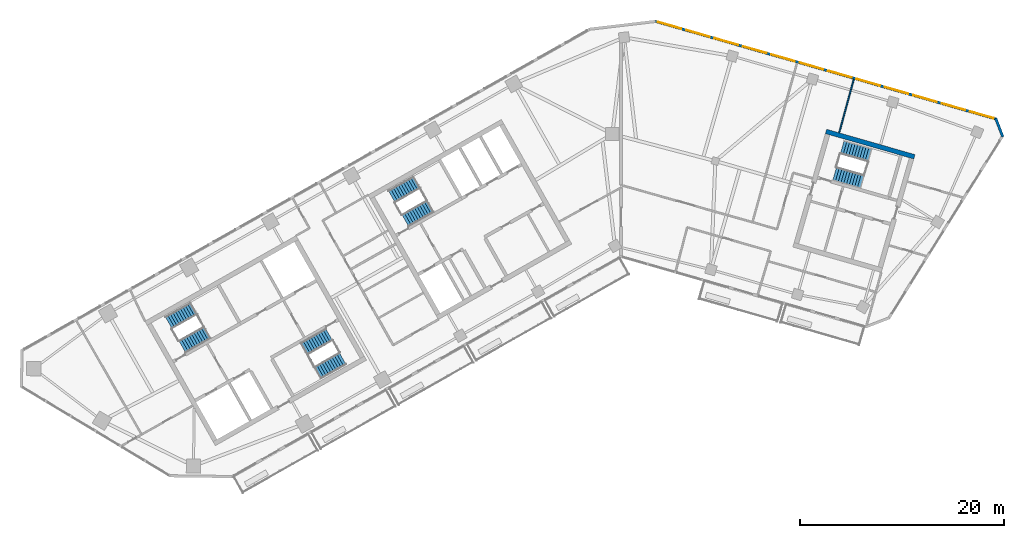
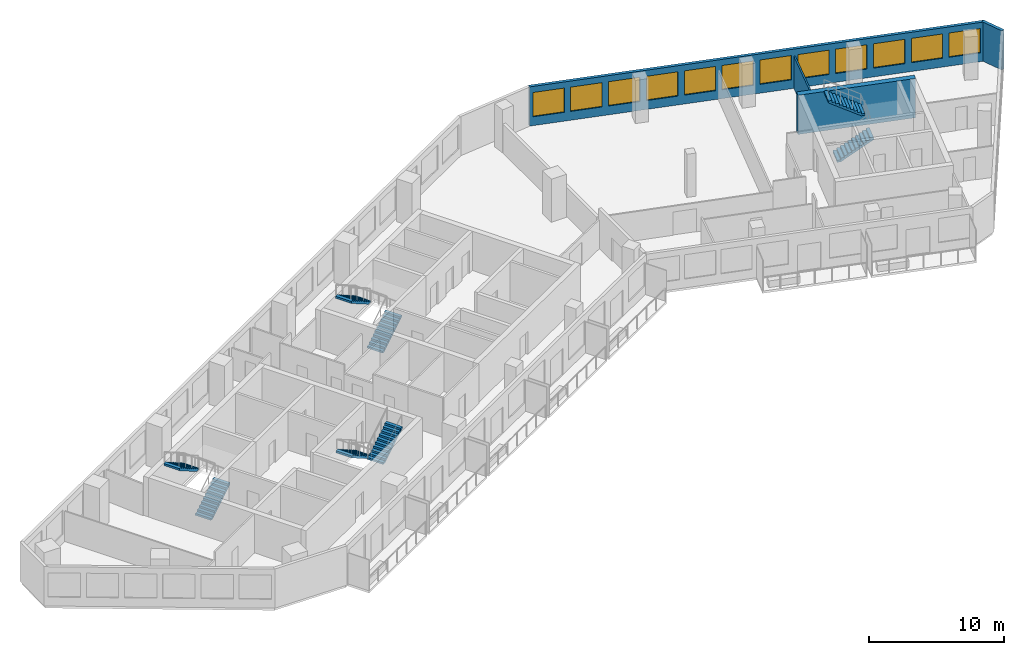
# One storey, part 8 of 11: 12 windows, 8 stair flights, 4 walls, 12 openings, 4 elements without a shape of their own.
"""IFC4 building model written with IfcOpenShell, lengths in metres."""

from ifc_helpers import new_model, si_unit, direction, frame, frame_2d, origin, place, context, subcontext, project, spatial, polyline, rectangle, outline, extrude, material, layer, layer_set, type_object, element, fill, aggregate, save


model = new_model("IFC4")

# Units and contexts
model_context = context("Model", 3, precision=1e-05, world=origin(), true_north=direction((0.0, 1.0)))
body_context = subcontext(model_context, "Body", "Model", "MODEL_VIEW")
ifc_project = project(units=[si_unit("LENGTHUNIT", "METRE"), si_unit("AREAUNIT", "SQUARE_METRE"), si_unit("VOLUMEUNIT", "CUBIC_METRE"), si_unit("PLANEANGLEUNIT", "RADIAN"), si_unit("MASSUNIT", "GRAM", prefix="KILO")], contexts=[model_context])

# Site, building, storey
site_placement = place(None, origin())
site = spatial("IfcSite", under=ifc_project, at=site_placement, CompositionType="ELEMENT")
building_placement = place(site_placement, origin())
building = spatial("IfcBuilding", under=site, at=building_placement, Name="Binnacle Exchange Tower", CompositionType="ELEMENT")
storey_placement = place(building_placement, frame((0.0, 0.0, 227.0)))
storey = spatial("IfcBuildingStorey", under=building, at=storey_placement, Name="L50", CompositionType="ELEMENT", Elevation=227.0)

# Walls
ifc_material_1 = material(Name="Concrete C70/85", Category="concrete")
ifc_layer_1 = layer(ifc_material_1, 0.449951171875)
ifc_layer_set_1 = layer_set([ifc_layer_1], Name="Core wall - outer 450")
wall_type_1 = type_object("IfcWallType", Name="Core wall - outer 450", PredefinedType="SOLIDWALL", material=ifc_layer_set_1)
wall_1_placement = place(storey_placement, frame((20.073486328125, 60.251708984375, 0.0), z_axis=(0.0, 0.0, 1.0), x_axis=(0.96126248289, -0.275634611374, 0.0)))
element("IfcWall", 1, at=wall_1_placement, inside=storey, type_object=wall_type_1, Name="Core wall CRWD6", PredefinedType="SOLIDWALL", context=body_context, shape_type="SweptSolid", body=[
    extrude(rectangle(XDim=9.0, YDim=0.449951171875, at=frame_2d((4.5, 0.0))), origin(), (0.0, 0.0, 1.0), 3.550048828125),
])
ifc_material_2 = material(Name="Bronze aluminium cladding", Category="aluminium")
ifc_layer_2 = layer(ifc_material_2, 0.25)
ifc_layer_set_2 = layer_set([ifc_layer_2], Name="External wall - window wall 250")
wall_type_2 = type_object("IfcWallType", Name="External wall - window wall 250", PredefinedType="STANDARD", material=ifc_layer_set_2)
wall_2_placement = place(storey_placement, frame((36.68994140625, 61.531005859375, 0.0), z_axis=(0.0, 0.0, 1.0), x_axis=(0.358377147136, -0.933576895821, 0.0)))
element("IfcWall", 2, at=wall_2_placement, inside=storey, type_object=wall_type_2, Name="External wall EW-G05 L50", PredefinedType="STANDARD", context=body_context, shape_type="SweptSolid", body=[
    extrude(rectangle(XDim=1.929931640625, YDim=0.25, at=frame_2d((0.96484375, 0.0))), origin(), (0.0, 0.0, 1.0), 3.550048828125),
])

# Wall, openings, windows
wall_3_placement = place(storey_placement, frame((3.34033203125, 71.042236328125, 0.0), z_axis=(0.0, 0.0, 1.0), x_axis=(0.96126179431, -0.275637012753, 0.0)))
wall_3 = element("IfcWall", 3, at=wall_3_placement, inside=storey, type_object=wall_type_2, Name="External wall EW-G06 L50", PredefinedType="STANDARD", context=body_context, shape_type="SweptSolid", body=[
    extrude(rectangle(XDim=34.779052734375, YDim=0.25, at=frame_2d((17.3896484375, 0.0))), origin(), (0.0, 0.0, 1.0), 3.550048828125),
])
opening_1_placement = place(wall_3_placement, frame((32.0712890625, 0.0, 0.800048828125)))
opening_1 = element("IfcOpeningElement", 4, at=opening_1_placement, cuts=wall_3, Name="Opening WR1", PredefinedType="OPENING", context=body_context, shape_type="SweptSolid", body=[
    extrude(rectangle(XDim=2.39990234375, YDim=2.199951171875, at=frame_2d((1.199951171875, 1.10009765625))), frame((0.0, 0.135009765625, 0.0), z_axis=(0.0, -1.0, 0.0), x_axis=(1.0, 0.0, 0.0)), (0.0, 0.0, 1.0), 0.27001953125),
])
opening_2_placement = place(wall_3_placement, frame((29.180419921875, 0.0, 0.800048828125)))
opening_2 = element("IfcOpeningElement", 5, at=opening_2_placement, cuts=wall_3, Name="Opening WR1", PredefinedType="OPENING", context=body_context, shape_type="SweptSolid", body=[
    extrude(rectangle(XDim=2.39990234375, YDim=2.199951171875, at=frame_2d((1.199951171875, 1.10009765625))), frame((0.0, 0.135009765625, 0.0), z_axis=(0.0, -1.0, 0.0), x_axis=(1.0, 0.0, 0.0)), (0.0, 0.0, 1.0), 0.27001953125),
])
opening_3_placement = place(wall_3_placement, frame((26.289306640625, 0.0, 0.800048828125)))
opening_3 = element("IfcOpeningElement", 6, at=opening_3_placement, cuts=wall_3, Name="Opening WR1", PredefinedType="OPENING", context=body_context, shape_type="SweptSolid", body=[
    extrude(rectangle(XDim=2.39990234375, YDim=2.199951171875, at=frame_2d((1.199951171875, 1.10009765625))), frame((0.0, 0.135009765625, 0.0), z_axis=(0.0, -1.0, 0.0), x_axis=(1.0, 0.0, 0.0)), (0.0, 0.0, 1.0), 0.27001953125),
])
opening_4_placement = place(wall_3_placement, frame((23.3984375, 0.0, 0.800048828125)))
opening_4 = element("IfcOpeningElement", 7, at=opening_4_placement, cuts=wall_3, Name="Opening WR1", PredefinedType="OPENING", context=body_context, shape_type="SweptSolid", body=[
    extrude(rectangle(XDim=2.39990234375, YDim=2.199951171875, at=frame_2d((1.199951171875, 1.10009765625))), frame((0.0, 0.135009765625, 0.0), z_axis=(0.0, -1.0, 0.0), x_axis=(1.0, 0.0, 0.0)), (0.0, 0.0, 1.0), 0.27001953125),
])
opening_5_placement = place(wall_3_placement, frame((20.507568359375, 0.0, 0.800048828125)))
opening_5 = element("IfcOpeningElement", 8, at=opening_5_placement, cuts=wall_3, Name="Opening WR1", PredefinedType="OPENING", context=body_context, shape_type="SweptSolid", body=[
    extrude(rectangle(XDim=2.39990234375, YDim=2.199951171875, at=frame_2d((1.199951171875, 1.10009765625))), frame((0.0, 0.135009765625, 0.0), z_axis=(0.0, -1.0, 0.0), x_axis=(1.0, 0.0, 0.0)), (0.0, 0.0, 1.0), 0.27001953125),
])
opening_6_placement = place(wall_3_placement, frame((17.616455078125, 0.0, 0.800048828125)))
opening_6 = element("IfcOpeningElement", 9, at=opening_6_placement, cuts=wall_3, Name="Opening WR1", PredefinedType="OPENING", context=body_context, shape_type="SweptSolid", body=[
    extrude(rectangle(XDim=2.39990234375, YDim=2.199951171875, at=frame_2d((1.199951171875, 1.10009765625))), frame((0.0, 0.135009765625, 0.0), z_axis=(0.0, -1.0, 0.0), x_axis=(1.0, 0.0, 0.0)), (0.0, 0.0, 1.0), 0.27001953125),
])
opening_7_placement = place(wall_3_placement, frame((14.7255859375, 0.0, 0.800048828125)))
opening_7 = element("IfcOpeningElement", 10, at=opening_7_placement, cuts=wall_3, Name="Opening WR1", PredefinedType="OPENING", context=body_context, shape_type="SweptSolid", body=[
    extrude(rectangle(XDim=2.39990234375, YDim=2.199951171875, at=frame_2d((1.199951171875, 1.10009765625))), frame((0.0, 0.135009765625, 0.0), z_axis=(0.0, -1.0, 0.0), x_axis=(1.0, 0.0, 0.0)), (0.0, 0.0, 1.0), 0.27001953125),
])
opening_8_placement = place(wall_3_placement, frame((11.83447265625, 0.0, 0.800048828125)))
opening_8 = element("IfcOpeningElement", 11, at=opening_8_placement, cuts=wall_3, Name="Opening WR1", PredefinedType="OPENING", context=body_context, shape_type="SweptSolid", body=[
    extrude(rectangle(XDim=2.39990234375, YDim=2.199951171875, at=frame_2d((1.199951171875, 1.10009765625))), frame((0.0, 0.135009765625, 0.0), z_axis=(0.0, -1.0, 0.0), x_axis=(1.0, 0.0, 0.0)), (0.0, 0.0, 1.0), 0.27001953125),
])
opening_9_placement = place(wall_3_placement, frame((8.943603515625, 0.0, 0.800048828125)))
opening_9 = element("IfcOpeningElement", 12, at=opening_9_placement, cuts=wall_3, Name="Opening WR1", PredefinedType="OPENING", context=body_context, shape_type="SweptSolid", body=[
    extrude(rectangle(XDim=2.39990234375, YDim=2.199951171875, at=frame_2d((1.199951171875, 1.10009765625))), frame((0.0, 0.135009765625, 0.0), z_axis=(0.0, -1.0, 0.0), x_axis=(1.0, 0.0, 0.0)), (0.0, 0.0, 1.0), 0.27001953125),
])
opening_10_placement = place(wall_3_placement, frame((6.052490234375, 0.0, 0.800048828125)))
opening_10 = element("IfcOpeningElement", 13, at=opening_10_placement, cuts=wall_3, Name="Opening WR1", PredefinedType="OPENING", context=body_context, shape_type="SweptSolid", body=[
    extrude(rectangle(XDim=2.39990234375, YDim=2.199951171875, at=frame_2d((1.199951171875, 1.10009765625))), frame((0.0, 0.135009765625, 0.0), z_axis=(0.0, -1.0, 0.0), x_axis=(1.0, 0.0, 0.0)), (0.0, 0.0, 1.0), 0.27001953125),
])
opening_11_placement = place(wall_3_placement, frame((3.16162109375, 0.0, 0.800048828125)))
opening_11 = element("IfcOpeningElement", 14, at=opening_11_placement, cuts=wall_3, Name="Opening WR1", PredefinedType="OPENING", context=body_context, shape_type="SweptSolid", body=[
    extrude(rectangle(XDim=2.39990234375, YDim=2.199951171875, at=frame_2d((1.199951171875, 1.10009765625))), frame((0.0, 0.135009765625, 0.0), z_axis=(0.0, -1.0, 0.0), x_axis=(1.0, 0.0, 0.0)), (0.0, 0.0, 1.0), 0.27001953125),
])
opening_12_placement = place(wall_3_placement, frame((0.2705078125, 0.0, 0.800048828125)))
opening_12 = element("IfcOpeningElement", 15, at=opening_12_placement, cuts=wall_3, Name="Opening WR1", PredefinedType="OPENING", context=body_context, shape_type="SweptSolid", body=[
    extrude(rectangle(XDim=2.39990234375, YDim=2.199951171875, at=frame_2d((1.199951171875, 1.10009765625))), frame((0.0, 0.135009765625, 0.0), z_axis=(0.0, -1.0, 0.0), x_axis=(1.0, 0.0, 0.0)), (0.0, 0.0, 1.0), 0.27001953125),
])
ifc_material_3 = material(Name="Bronze anodised aluminium frame", Category="aluminium")
window_type = type_object("IfcWindowType", Name="WR1 WINDOW 2400x2200", PartitioningType="SINGLE_PANEL", PredefinedType="WINDOW", material=ifc_material_3)
window_1_placement = place(opening_1_placement, origin())
window_1 = element("IfcWindow", 16, at=window_1_placement, inside=storey, type_object=window_type, Name="Window WR1 L50", OverallHeight=2.199951171875, OverallWidth=2.39990234375, PartitioningType="SINGLE_PANEL", PredefinedType="WINDOW", context=body_context, shape_type="SweptSolid", body=[
    extrude(rectangle(XDim=2.39990234375, YDim=2.199951171875, at=frame_2d((1.199951171875, 1.10009765625))), frame((0.0, 0.030029296875, 0.0), z_axis=(0.0, -1.0, 0.0), x_axis=(1.0, 0.0, 0.0)), (0.0, 0.0, 1.0), 0.06005859375),
])
fill(opening_1, window_1)
window_2_placement = place(opening_2_placement, origin())
window_2 = element("IfcWindow", 17, at=window_2_placement, inside=storey, type_object=window_type, Name="Window WR1 L50", OverallHeight=2.199951171875, OverallWidth=2.39990234375, PartitioningType="SINGLE_PANEL", PredefinedType="WINDOW", context=body_context, shape_type="SweptSolid", body=[
    extrude(rectangle(XDim=2.39990234375, YDim=2.199951171875, at=frame_2d((1.199951171875, 1.10009765625))), frame((0.0, 0.030029296875, 0.0), z_axis=(0.0, -1.0, 0.0), x_axis=(1.0, 0.0, 0.0)), (0.0, 0.0, 1.0), 0.06005859375),
])
fill(opening_2, window_2)
window_3_placement = place(opening_3_placement, origin())
window_3 = element("IfcWindow", 18, at=window_3_placement, inside=storey, type_object=window_type, Name="Window WR1 L50", OverallHeight=2.199951171875, OverallWidth=2.39990234375, PartitioningType="SINGLE_PANEL", PredefinedType="WINDOW", context=body_context, shape_type="SweptSolid", body=[
    extrude(rectangle(XDim=2.39990234375, YDim=2.199951171875, at=frame_2d((1.199951171875, 1.10009765625))), frame((0.0, 0.030029296875, 0.0), z_axis=(0.0, -1.0, 0.0), x_axis=(1.0, 0.0, 0.0)), (0.0, 0.0, 1.0), 0.06005859375),
])
fill(opening_3, window_3)
window_4_placement = place(opening_4_placement, origin())
window_4 = element("IfcWindow", 19, at=window_4_placement, inside=storey, type_object=window_type, Name="Window WR1 L50", OverallHeight=2.199951171875, OverallWidth=2.39990234375, PartitioningType="SINGLE_PANEL", PredefinedType="WINDOW", context=body_context, shape_type="SweptSolid", body=[
    extrude(rectangle(XDim=2.39990234375, YDim=2.199951171875, at=frame_2d((1.199951171875, 1.10009765625))), frame((0.0, 0.030029296875, 0.0), z_axis=(0.0, -1.0, 0.0), x_axis=(1.0, 0.0, 0.0)), (0.0, 0.0, 1.0), 0.06005859375),
])
fill(opening_4, window_4)
window_5_placement = place(opening_5_placement, origin())
window_5 = element("IfcWindow", 20, at=window_5_placement, inside=storey, type_object=window_type, Name="Window WR1 L50", OverallHeight=2.199951171875, OverallWidth=2.39990234375, PartitioningType="SINGLE_PANEL", PredefinedType="WINDOW", context=body_context, shape_type="SweptSolid", body=[
    extrude(rectangle(XDim=2.39990234375, YDim=2.199951171875, at=frame_2d((1.199951171875, 1.10009765625))), frame((0.0, 0.030029296875, 0.0), z_axis=(0.0, -1.0, 0.0), x_axis=(1.0, 0.0, 0.0)), (0.0, 0.0, 1.0), 0.06005859375),
])
fill(opening_5, window_5)
window_6_placement = place(opening_6_placement, origin())
window_6 = element("IfcWindow", 21, at=window_6_placement, inside=storey, type_object=window_type, Name="Window WR1 L50", OverallHeight=2.199951171875, OverallWidth=2.39990234375, PartitioningType="SINGLE_PANEL", PredefinedType="WINDOW", context=body_context, shape_type="SweptSolid", body=[
    extrude(rectangle(XDim=2.39990234375, YDim=2.199951171875, at=frame_2d((1.199951171875, 1.10009765625))), frame((0.0, 0.030029296875, 0.0), z_axis=(0.0, -1.0, 0.0), x_axis=(1.0, 0.0, 0.0)), (0.0, 0.0, 1.0), 0.06005859375),
])
fill(opening_6, window_6)
window_7_placement = place(opening_7_placement, origin())
window_7 = element("IfcWindow", 22, at=window_7_placement, inside=storey, type_object=window_type, Name="Window WR1 L50", OverallHeight=2.199951171875, OverallWidth=2.39990234375, PartitioningType="SINGLE_PANEL", PredefinedType="WINDOW", context=body_context, shape_type="SweptSolid", body=[
    extrude(rectangle(XDim=2.39990234375, YDim=2.199951171875, at=frame_2d((1.199951171875, 1.10009765625))), frame((0.0, 0.030029296875, 0.0), z_axis=(0.0, -1.0, 0.0), x_axis=(1.0, 0.0, 0.0)), (0.0, 0.0, 1.0), 0.06005859375),
])
fill(opening_7, window_7)
window_8_placement = place(opening_8_placement, origin())
window_8 = element("IfcWindow", 23, at=window_8_placement, inside=storey, type_object=window_type, Name="Window WR1 L50", OverallHeight=2.199951171875, OverallWidth=2.39990234375, PartitioningType="SINGLE_PANEL", PredefinedType="WINDOW", context=body_context, shape_type="SweptSolid", body=[
    extrude(rectangle(XDim=2.39990234375, YDim=2.199951171875, at=frame_2d((1.199951171875, 1.10009765625))), frame((0.0, 0.030029296875, 0.0), z_axis=(0.0, -1.0, 0.0), x_axis=(1.0, 0.0, 0.0)), (0.0, 0.0, 1.0), 0.06005859375),
])
fill(opening_8, window_8)
window_9_placement = place(opening_9_placement, origin())
window_9 = element("IfcWindow", 24, at=window_9_placement, inside=storey, type_object=window_type, Name="Window WR1 L50", OverallHeight=2.199951171875, OverallWidth=2.39990234375, PartitioningType="SINGLE_PANEL", PredefinedType="WINDOW", context=body_context, shape_type="SweptSolid", body=[
    extrude(rectangle(XDim=2.39990234375, YDim=2.199951171875, at=frame_2d((1.199951171875, 1.10009765625))), frame((0.0, 0.030029296875, 0.0), z_axis=(0.0, -1.0, 0.0), x_axis=(1.0, 0.0, 0.0)), (0.0, 0.0, 1.0), 0.06005859375),
])
fill(opening_9, window_9)
window_10_placement = place(opening_10_placement, origin())
window_10 = element("IfcWindow", 25, at=window_10_placement, inside=storey, type_object=window_type, Name="Window WR1 L50", OverallHeight=2.199951171875, OverallWidth=2.39990234375, PartitioningType="SINGLE_PANEL", PredefinedType="WINDOW", context=body_context, shape_type="SweptSolid", body=[
    extrude(rectangle(XDim=2.39990234375, YDim=2.199951171875, at=frame_2d((1.199951171875, 1.10009765625))), frame((0.0, 0.030029296875, 0.0), z_axis=(0.0, -1.0, 0.0), x_axis=(1.0, 0.0, 0.0)), (0.0, 0.0, 1.0), 0.06005859375),
])
fill(opening_10, window_10)
window_11_placement = place(opening_11_placement, origin())
window_11 = element("IfcWindow", 26, at=window_11_placement, inside=storey, type_object=window_type, Name="Window WR1 L50", OverallHeight=2.199951171875, OverallWidth=2.39990234375, PartitioningType="SINGLE_PANEL", PredefinedType="WINDOW", context=body_context, shape_type="SweptSolid", body=[
    extrude(rectangle(XDim=2.39990234375, YDim=2.199951171875, at=frame_2d((1.199951171875, 1.10009765625))), frame((0.0, 0.030029296875, 0.0), z_axis=(0.0, -1.0, 0.0), x_axis=(1.0, 0.0, 0.0)), (0.0, 0.0, 1.0), 0.06005859375),
])
fill(opening_11, window_11)
window_12_placement = place(opening_12_placement, origin())
window_12 = element("IfcWindow", 27, at=window_12_placement, inside=storey, type_object=window_type, Name="Window WR1 L50", OverallHeight=2.199951171875, OverallWidth=2.39990234375, PartitioningType="SINGLE_PANEL", PredefinedType="WINDOW", context=body_context, shape_type="SweptSolid", body=[
    extrude(rectangle(XDim=2.39990234375, YDim=2.199951171875, at=frame_2d((1.199951171875, 1.10009765625))), frame((0.0, 0.030029296875, 0.0), z_axis=(0.0, -1.0, 0.0), x_axis=(1.0, 0.0, 0.0)), (0.0, 0.0, 1.0), 0.06005859375),
])
fill(opening_12, window_12)

# Wall
ifc_material_4 = material(Name="Gypsum partition")
ifc_layer_3 = layer(ifc_material_4, 0.125)
ifc_layer_set_3 = layer_set([ifc_layer_3], Name="Partition 125")
wall_type_3 = type_object("IfcWallType", Name="Partition 125", PredefinedType="PARTITIONING", material=ifc_layer_set_3)
wall_4_placement = place(storey_placement, frame((21.360107421875, 60.116943359375, 0.0), z_axis=(0.0, 0.0, 1.0), x_axis=(0.263151767798, 0.964754449124, 0.0)))
element("IfcWall", 28, at=wall_4_placement, inside=storey, type_object=wall_type_3, Name="Partition W34", PredefinedType="PARTITIONING", context=body_context, shape_type="SweptSolid", body=[
    extrude(rectangle(XDim=5.41064453125, YDim=0.125, at=frame_2d((2.705322265625, 0.0))), origin(), (0.0, 0.0, 1.0), 2.91796875),
])

# Stair, stair flights
ifc_material_5 = material(Name="Concrete C35/45", Category="concrete")
stair_type = type_object("IfcStairType", Name="STAIR 22 RISERS 177", PredefinedType="HALF_TURN_STAIR", material=ifc_material_5)
stair_1_placement = place(storey_placement, origin())
stair_1 = element("IfcStair", 29, at=stair_1_placement, inside=storey, type_object=stair_type, Name="L50 Escape stair A1", PredefinedType="HALF_TURN_STAIR")
stair_flight_type = type_object("IfcStairFlightType", Name="STAIR FLIGHT 177X280", PredefinedType="STRAIGHT", material=ifc_material_5)
stair_flight_1_placement = place(storey_placement, frame((-42.9541015625, 39.17333984375, 0.0), z_axis=(0.0, 0.0, 1.0), x_axis=(0.870355584213, 0.492423757581, 0.0)))
stair_flight_1 = element("IfcStairFlight", 30, at=stair_flight_1_placement, type_object=stair_flight_type, Name="STA1 flight 1", NumberOfRisers=11, NumberOfTreads=10, PredefinedType="STRAIGHT", RiserHeight=0.177272727, TreadLength=0.28, context=body_context, shape_type="SweptSolid", body=[
    extrude(outline(polyline([(0.0, 0.0), (0.0, 0.17724609375), (0.280029296875, 0.17724609375), (0.280029296875, 0.3544921875), (0.56005859375, 0.3544921875), (0.56005859375, 0.53173828125), (0.840087890625, 0.53173828125), (0.840087890625, 0.708984375), (1.1201171875, 0.708984375), (1.1201171875, 0.886474609375), (1.39990234375, 0.886474609375), (1.39990234375, 1.063720703125), (1.679931640625, 1.063720703125), (1.679931640625, 1.240966796875), (1.9599609375, 1.240966796875), (1.9599609375, 1.418212890625), (2.239990234375, 1.418212890625), (2.239990234375, 1.595458984375), (2.52001953125, 1.595458984375), (2.52001953125, 1.772705078125), (2.800048828125, 1.772705078125), (2.800048828125, 1.949951171875), (2.800048828125, 1.59521484375), (0.2802734375, 0.0), (0.0, 0.0)])), frame((0.0, 0.675048828125, 0.0), z_axis=(0.0, -1.0, 0.0), x_axis=(1.0, 0.0, 0.0)), (0.0, 0.0, 1.0), 1.35009765625),
])
stair_flight_2_placement = place(storey_placement, frame((-41.846435546875, 42.902099609375, 1.949951171875), z_axis=(0.0, 0.0, 1.0), x_axis=(-0.870355584213, -0.492423757581, 0.0)))
stair_flight_2 = element("IfcStairFlight", 31, at=stair_flight_2_placement, type_object=stair_flight_type, Name="STA1 flight 2", NumberOfRisers=11, NumberOfTreads=10, PredefinedType="STRAIGHT", RiserHeight=0.177272727, TreadLength=0.28, context=body_context, shape_type="SweptSolid", body=[
    extrude(outline(polyline([(0.0, 0.0), (0.0, 0.17724609375), (0.280029296875, 0.17724609375), (0.280029296875, 0.3544921875), (0.56005859375, 0.3544921875), (0.56005859375, 0.53173828125), (0.840087890625, 0.53173828125), (0.840087890625, 0.708984375), (1.1201171875, 0.708984375), (1.1201171875, 0.886474609375), (1.39990234375, 0.886474609375), (1.39990234375, 1.063720703125), (1.679931640625, 1.063720703125), (1.679931640625, 1.240966796875), (1.9599609375, 1.240966796875), (1.9599609375, 1.418212890625), (2.239990234375, 1.418212890625), (2.239990234375, 1.595458984375), (2.52001953125, 1.595458984375), (2.52001953125, 1.772705078125), (2.800048828125, 1.772705078125), (2.800048828125, 1.949951171875), (2.800048828125, 1.59521484375), (0.2802734375, 0.0), (0.0, 0.0)])), frame((0.0, 0.675048828125, 0.0), z_axis=(0.0, -1.0, 0.0), x_axis=(1.0, 0.0, 0.0)), (0.0, 0.0, 1.0), 1.35009765625),
])
aggregate(stair_1, [stair_flight_1, stair_flight_2])

stair_2_placement = place(storey_placement, origin())
stair_2 = element("IfcStair", 32, at=stair_2_placement, inside=storey, type_object=stair_type, Name="L50 Escape stair A2", PredefinedType="HALF_TURN_STAIR")
stair_flight_3_placement = place(storey_placement, frame((-28.5732421875, 40.3583984375, 0.0), z_axis=(0.0, 0.0, 1.0), x_axis=(-0.870355584213, -0.492423757581, 0.0)))
stair_flight_3 = element("IfcStairFlight", 33, at=stair_flight_3_placement, type_object=stair_flight_type, Name="STA2 flight 1", NumberOfRisers=11, NumberOfTreads=10, PredefinedType="STRAIGHT", RiserHeight=0.177272727, TreadLength=0.28, context=body_context, shape_type="SweptSolid", body=[
    extrude(outline(polyline([(0.0, 0.0), (0.0, 0.17724609375), (0.280029296875, 0.17724609375), (0.280029296875, 0.3544921875), (0.56005859375, 0.3544921875), (0.56005859375, 0.53173828125), (0.840087890625, 0.53173828125), (0.840087890625, 0.708984375), (1.1201171875, 0.708984375), (1.1201171875, 0.886474609375), (1.39990234375, 0.886474609375), (1.39990234375, 1.063720703125), (1.679931640625, 1.063720703125), (1.679931640625, 1.240966796875), (1.9599609375, 1.240966796875), (1.9599609375, 1.418212890625), (2.239990234375, 1.418212890625), (2.239990234375, 1.595458984375), (2.52001953125, 1.595458984375), (2.52001953125, 1.772705078125), (2.800048828125, 1.772705078125), (2.800048828125, 1.949951171875), (2.800048828125, 1.59521484375), (0.2802734375, 0.0), (0.0, 0.0)])), frame((0.0, 0.675048828125, 0.0), z_axis=(0.0, -1.0, 0.0), x_axis=(1.0, 0.0, 0.0)), (0.0, 0.0, 1.0), 1.35009765625),
])
stair_flight_4_placement = place(storey_placement, frame((-29.6806640625, 36.629638671875, 1.949951171875), z_axis=(0.0, 0.0, 1.0), x_axis=(0.870355584213, 0.492423757581, 0.0)))
stair_flight_4 = element("IfcStairFlight", 34, at=stair_flight_4_placement, type_object=stair_flight_type, Name="STA2 flight 2", NumberOfRisers=11, NumberOfTreads=10, PredefinedType="STRAIGHT", RiserHeight=0.177272727, TreadLength=0.28, context=body_context, shape_type="SweptSolid", body=[
    extrude(outline(polyline([(0.0, 0.0), (0.0, 0.17724609375), (0.280029296875, 0.17724609375), (0.280029296875, 0.3544921875), (0.56005859375, 0.3544921875), (0.56005859375, 0.53173828125), (0.840087890625, 0.53173828125), (0.840087890625, 0.708984375), (1.1201171875, 0.708984375), (1.1201171875, 0.886474609375), (1.39990234375, 0.886474609375), (1.39990234375, 1.063720703125), (1.679931640625, 1.063720703125), (1.679931640625, 1.240966796875), (1.9599609375, 1.240966796875), (1.9599609375, 1.418212890625), (2.239990234375, 1.418212890625), (2.239990234375, 1.595458984375), (2.52001953125, 1.595458984375), (2.52001953125, 1.772705078125), (2.800048828125, 1.772705078125), (2.800048828125, 1.949951171875), (2.800048828125, 1.59521484375), (0.2802734375, 0.0), (0.0, 0.0)])), frame((0.0, 0.675048828125, 0.0), z_axis=(0.0, -1.0, 0.0), x_axis=(1.0, 0.0, 0.0)), (0.0, 0.0, 1.0), 1.35009765625),
])
aggregate(stair_2, [stair_flight_3, stair_flight_4])

stair_3_placement = place(storey_placement, origin())
stair_3 = element("IfcStair", 35, at=stair_3_placement, inside=storey, type_object=stair_type, Name="L50 Escape stair C1", PredefinedType="HALF_TURN_STAIR")
stair_flight_5_placement = place(storey_placement, frame((-21.115966796875, 51.528564453125, 0.0), z_axis=(0.0, 0.0, 1.0), x_axis=(0.870355584213, 0.492423757581, 0.0)))
stair_flight_5 = element("IfcStairFlight", 36, at=stair_flight_5_placement, type_object=stair_flight_type, Name="STC1 flight 1", NumberOfRisers=11, NumberOfTreads=10, PredefinedType="STRAIGHT", RiserHeight=0.177272727, TreadLength=0.28, context=body_context, shape_type="SweptSolid", body=[
    extrude(outline(polyline([(0.0, 0.0), (0.0, 0.17724609375), (0.280029296875, 0.17724609375), (0.280029296875, 0.3544921875), (0.56005859375, 0.3544921875), (0.56005859375, 0.53173828125), (0.840087890625, 0.53173828125), (0.840087890625, 0.708984375), (1.1201171875, 0.708984375), (1.1201171875, 0.886474609375), (1.39990234375, 0.886474609375), (1.39990234375, 1.063720703125), (1.679931640625, 1.063720703125), (1.679931640625, 1.240966796875), (1.9599609375, 1.240966796875), (1.9599609375, 1.418212890625), (2.239990234375, 1.418212890625), (2.239990234375, 1.595458984375), (2.52001953125, 1.595458984375), (2.52001953125, 1.772705078125), (2.800048828125, 1.772705078125), (2.800048828125, 1.949951171875), (2.800048828125, 1.59521484375), (0.2802734375, 0.0), (0.0, 0.0)])), frame((0.0, 0.675048828125, 0.0), z_axis=(0.0, -1.0, 0.0), x_axis=(1.0, 0.0, 0.0)), (0.0, 0.0, 1.0), 1.35009765625),
])
stair_flight_6_placement = place(storey_placement, frame((-20.008544921875, 55.25732421875, 1.949951171875), z_axis=(0.0, 0.0, 1.0), x_axis=(-0.870355584213, -0.492423757581, 0.0)))
stair_flight_6 = element("IfcStairFlight", 37, at=stair_flight_6_placement, type_object=stair_flight_type, Name="STC1 flight 2", NumberOfRisers=11, NumberOfTreads=10, PredefinedType="STRAIGHT", RiserHeight=0.177272727, TreadLength=0.28, context=body_context, shape_type="SweptSolid", body=[
    extrude(outline(polyline([(0.0, 0.0), (0.0, 0.17724609375), (0.280029296875, 0.17724609375), (0.280029296875, 0.3544921875), (0.56005859375, 0.3544921875), (0.56005859375, 0.53173828125), (0.840087890625, 0.53173828125), (0.840087890625, 0.708984375), (1.1201171875, 0.708984375), (1.1201171875, 0.886474609375), (1.39990234375, 0.886474609375), (1.39990234375, 1.063720703125), (1.679931640625, 1.063720703125), (1.679931640625, 1.240966796875), (1.9599609375, 1.240966796875), (1.9599609375, 1.418212890625), (2.239990234375, 1.418212890625), (2.239990234375, 1.595458984375), (2.52001953125, 1.595458984375), (2.52001953125, 1.772705078125), (2.800048828125, 1.772705078125), (2.800048828125, 1.949951171875), (2.800048828125, 1.59521484375), (0.2802734375, 0.0), (0.0, 0.0)])), frame((0.0, 0.675048828125, 0.0), z_axis=(0.0, -1.0, 0.0), x_axis=(1.0, 0.0, 0.0)), (0.0, 0.0, 1.0), 1.35009765625),
])
aggregate(stair_3, [stair_flight_5, stair_flight_6])

stair_4_placement = place(storey_placement, origin())
stair_4 = element("IfcStair", 38, at=stair_4_placement, inside=storey, type_object=stair_type, Name="L50 Escape stair D1", PredefinedType="HALF_TURN_STAIR")
stair_flight_7_placement = place(storey_placement, frame((20.914306640625, 56.109619140625, 0.0), z_axis=(0.0, 0.0, 1.0), x_axis=(0.961261811397, -0.275636953165, 0.0)))
stair_flight_7 = element("IfcStairFlight", 39, at=stair_flight_7_placement, type_object=stair_flight_type, Name="STD1 flight 1", NumberOfRisers=11, NumberOfTreads=10, PredefinedType="STRAIGHT", RiserHeight=0.177272727, TreadLength=0.28, context=body_context, shape_type="SweptSolid", body=[
    extrude(outline(polyline([(0.0, 0.0), (0.0, 0.17724609375), (0.280029296875, 0.17724609375), (0.280029296875, 0.3544921875), (0.56005859375, 0.3544921875), (0.56005859375, 0.53173828125), (0.840087890625, 0.53173828125), (0.840087890625, 0.708984375), (1.1201171875, 0.708984375), (1.1201171875, 0.886474609375), (1.39990234375, 0.886474609375), (1.39990234375, 1.063720703125), (1.679931640625, 1.063720703125), (1.679931640625, 1.240966796875), (1.9599609375, 1.240966796875), (1.9599609375, 1.418212890625), (2.239990234375, 1.418212890625), (2.239990234375, 1.595458984375), (2.52001953125, 1.595458984375), (2.52001953125, 1.772705078125), (2.800048828125, 1.772705078125), (2.800048828125, 1.949951171875), (2.800048828125, 1.59521484375), (0.2802734375, 0.0), (0.0, 0.0)])), frame((0.0, 0.675048828125, 0.0), z_axis=(0.0, -1.0, 0.0), x_axis=(1.0, 0.0, 0.0)), (0.0, 0.0, 1.0), 1.35009765625),
])
stair_flight_8_placement = place(storey_placement, frame((24.35009765625, 57.93310546875, 1.949951171875), z_axis=(0.0, 0.0, 1.0), x_axis=(-0.961261811397, 0.275636953165, 0.0)))
stair_flight_8 = element("IfcStairFlight", 40, at=stair_flight_8_placement, type_object=stair_flight_type, Name="STD1 flight 2", NumberOfRisers=11, NumberOfTreads=10, PredefinedType="STRAIGHT", RiserHeight=0.177272727, TreadLength=0.28, context=body_context, shape_type="SweptSolid", body=[
    extrude(outline(polyline([(0.0, 0.0), (0.0, 0.17724609375), (0.280029296875, 0.17724609375), (0.280029296875, 0.3544921875), (0.56005859375, 0.3544921875), (0.56005859375, 0.53173828125), (0.840087890625, 0.53173828125), (0.840087890625, 0.708984375), (1.1201171875, 0.708984375), (1.1201171875, 0.886474609375), (1.39990234375, 0.886474609375), (1.39990234375, 1.063720703125), (1.679931640625, 1.063720703125), (1.679931640625, 1.240966796875), (1.9599609375, 1.240966796875), (1.9599609375, 1.418212890625), (2.239990234375, 1.418212890625), (2.239990234375, 1.595458984375), (2.52001953125, 1.595458984375), (2.52001953125, 1.772705078125), (2.800048828125, 1.772705078125), (2.800048828125, 1.949951171875), (2.800048828125, 1.59521484375), (0.2802734375, 0.0), (0.0, 0.0)])), frame((0.0, 0.675048828125, 0.0), z_axis=(0.0, -1.0, 0.0), x_axis=(1.0, 0.0, 0.0)), (0.0, 0.0, 1.0), 1.35009765625),
])
aggregate(stair_4, [stair_flight_7, stair_flight_8])

save(model, "model.ifc")
